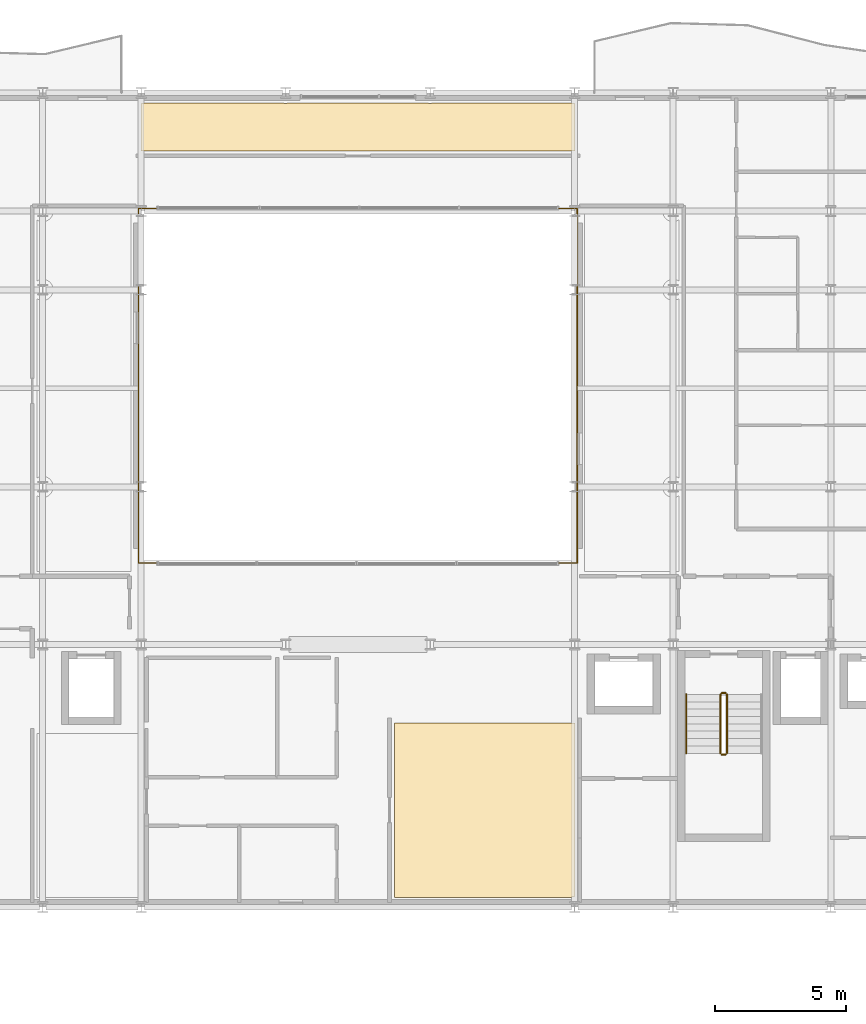
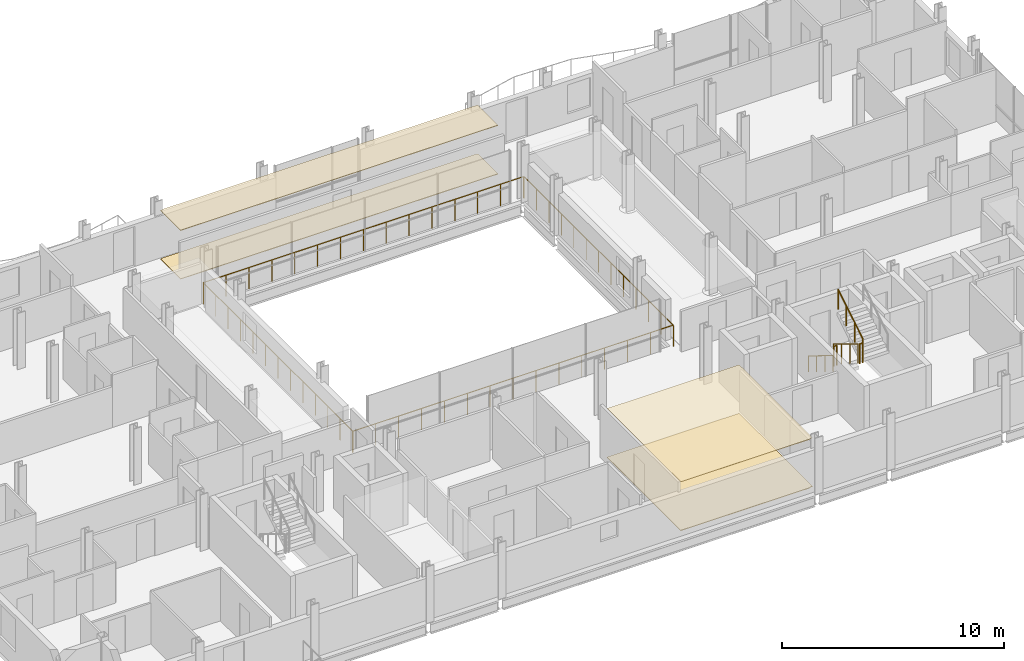
# One storey, part 40 of 41: 7 railings, 4 coverings.
"""IFC4 building model written with IfcOpenShell, lengths in metres."""

from ifc_helpers import new_model, si_unit, direction, frame, origin, origin_2d, place, context, subcontext, project, spatial, polyline, circle, outline, extrude, material, layer, layer_set, type_object, element, save


model = new_model("IFC4")

# Units and contexts
model_context = context("Model", 3, precision=1e-05, world=origin(), true_north=direction((0.0, 1.0)))
body_context = subcontext(model_context, "Body", "Model", "MODEL_VIEW")
ifc_project = project(units=[si_unit("LENGTHUNIT", "METRE"), si_unit("AREAUNIT", "SQUARE_METRE"), si_unit("VOLUMEUNIT", "CUBIC_METRE"), si_unit("PLANEANGLEUNIT", "RADIAN"), si_unit("MASSUNIT", "GRAM", prefix="KILO")], contexts=[model_context])

# Site, building, storey
site_placement = place(None, origin())
site = spatial("IfcSite", under=ifc_project, at=site_placement, CompositionType="ELEMENT")
building_placement = place(site_placement, origin())
building = spatial("IfcBuilding", under=site, at=building_placement, Name="Brevholm Reach", CompositionType="ELEMENT")
storey_placement = place(building_placement, frame((0.0, 0.0, 144.89990234375)))
storey = spatial("IfcBuildingStorey", under=building, at=storey_placement, Name="L43", CompositionType="ELEMENT", Elevation=144.89990234375)

# Coverings
ifc_material_1 = material(Name="Moisture-Resistant Skimmed Gypsum Plasterboard Ceiling", Category="gypsum")
ifc_layer_1 = layer(ifc_material_1, 0.030029296875)
ifc_layer_set_1 = layer_set([ifc_layer_1], Name="Moisture-Resistant Skimmed Gypsum Plasterboard Ceiling")
covering_type_1 = type_object("IfcCoveringType", Name="COV-CLG-GYP", PredefinedType="CEILING", material=ifc_layer_set_1)
covering_1_placement = place(storey_placement, frame((0.0, 0.0, 2.68017578125)))
element("IfcCovering", 1, at=covering_1_placement, inside=storey, type_object=covering_type_1, Name="L43 Suspended Ceiling L43-14", PredefinedType="CEILING", context=body_context, shape_type="SweptSolid", body=[
    extrude(outline(polyline([(38.27001953125, 7.02001953125), (38.27001953125, 0.39892578125), (38.25, 0.39990234375), (38.210693359375, 0.398193359375), (38.172119140625, 0.392333984375), (38.1337890625, 0.3828125), (38.096923828125, 0.36962890625), (38.07666015625, 0.360107421875), (31.384033203125, 0.360107421875), (31.384033203125, 7.02001953125), (38.27001953125, 7.02001953125)])), origin(), (0.0, 0.0, 1.0), 0.030029296875),
])
covering_2_placement = place(storey_placement, frame((0.0, 0.0, 2.68017578125)))
element("IfcCovering", 2, at=covering_2_placement, inside=storey, type_object=covering_type_1, Name="L43 Suspended Ceiling L43-63", PredefinedType="CEILING", context=body_context, shape_type="SweptSolid", body=[
    extrude(outline(polyline([(27.126220703125, 30.6201171875), (27.1337890625, 30.6171875), (27.172119140625, 30.607666015625), (27.210693359375, 30.601806640625), (27.25, 30.60009765625), (27.289306640625, 30.601806640625), (27.327880859375, 30.607666015625), (27.3662109375, 30.6171875), (27.373779296875, 30.6201171875), (32.626220703125, 30.6201171875), (32.6337890625, 30.6171875), (32.672119140625, 30.607666015625), (32.710693359375, 30.601806640625), (32.75, 30.60009765625), (32.789306640625, 30.601806640625), (32.827880859375, 30.607666015625), (32.8662109375, 30.6171875), (32.873779296875, 30.6201171875), (38.126220703125, 30.6201171875), (38.1337890625, 30.6171875), (38.172119140625, 30.607666015625), (38.210693359375, 30.601806640625), (38.25, 30.60009765625), (38.26611328125, 30.600830078125), (38.26611328125, 28.783935546875), (21.73388671875, 28.783935546875), (21.73388671875, 30.600830078125), (21.75, 30.60009765625), (21.789306640625, 30.601806640625), (21.827880859375, 30.607666015625), (21.8662109375, 30.6171875), (21.873779296875, 30.6201171875), (27.126220703125, 30.6201171875)])), origin(), (0.0, 0.0, 1.0), 0.030029296875),
])
ifc_material_2 = material(Name="Honed Portland-Aggregate Resin Terrazzo Flooring", Category="concrete")
ifc_layer_2 = layer(ifc_material_2, 0.031982421875)
ifc_layer_set_2 = layer_set([ifc_layer_2], Name="Honed Portland-Aggregate Resin Terrazzo Flooring")
covering_type_2 = type_object("IfcCoveringType", Name="COV-FLR-TRZ", PredefinedType="FLOORING", material=ifc_layer_set_2)
covering_3_placement = place(storey_placement, origin())
element("IfcCovering", 3, at=covering_3_placement, inside=storey, type_object=covering_type_2, Name="L43 Floor Finish L43-14", PredefinedType="FLOORING", context=body_context, shape_type="SweptSolid", body=[
    extrude(outline(polyline([(38.27001953125, 7.02001953125), (38.27001953125, 0.39892578125), (38.25, 0.39990234375), (38.210693359375, 0.398193359375), (38.172119140625, 0.392333984375), (38.1337890625, 0.3828125), (38.096923828125, 0.36962890625), (38.07666015625, 0.360107421875), (31.384033203125, 0.360107421875), (31.384033203125, 7.02001953125), (38.27001953125, 7.02001953125)])), origin(), (0.0, 0.0, 1.0), 0.031982421875),
])
covering_4_placement = place(storey_placement, origin())
element("IfcCovering", 4, at=covering_4_placement, inside=storey, type_object=covering_type_2, Name="L43 Floor Finish L43-63", PredefinedType="FLOORING", context=body_context, shape_type="SweptSolid", body=[
    extrude(outline(polyline([(27.126220703125, 30.6201171875), (27.1337890625, 30.6171875), (27.172119140625, 30.607666015625), (27.210693359375, 30.601806640625), (27.25, 30.60009765625), (27.289306640625, 30.601806640625), (27.327880859375, 30.607666015625), (27.3662109375, 30.6171875), (27.373779296875, 30.6201171875), (32.626220703125, 30.6201171875), (32.6337890625, 30.6171875), (32.672119140625, 30.607666015625), (32.710693359375, 30.601806640625), (32.75, 30.60009765625), (32.789306640625, 30.601806640625), (32.827880859375, 30.607666015625), (32.8662109375, 30.6171875), (32.873779296875, 30.6201171875), (38.126220703125, 30.6201171875), (38.1337890625, 30.6171875), (38.172119140625, 30.607666015625), (38.210693359375, 30.601806640625), (38.25, 30.60009765625), (38.26611328125, 30.600830078125), (38.26611328125, 28.783935546875), (21.73388671875, 28.783935546875), (21.73388671875, 30.600830078125), (21.75, 30.60009765625), (21.789306640625, 30.601806640625), (21.827880859375, 30.607666015625), (21.8662109375, 30.6171875), (21.873779296875, 30.6201171875), (27.126220703125, 30.6201171875)])), origin(), (0.0, 0.0, 1.0), 0.031982421875),
])

# Railings
ifc_material_3 = material(Name="Brushed Stainless Steel EN 1.4401 Continuous Handrail", Category="steel")
railing_type_1 = type_object("IfcRailingType", Name="RAL-HND-950", PredefinedType="HANDRAIL", material=ifc_material_3)
railing_1_placement = place(storey_placement, frame((42.5, 8.10009765625, 0.17236328125)))
element("IfcRailing", 5, at=railing_1_placement, inside=storey, type_object=railing_type_1, Name="L43 ST-2 stair handrail 1", PredefinedType="HANDRAIL", context=body_context, shape_type="SweptSolid", body=[
    extrude(circle(Radius=0.02392578125, at=origin_2d()), frame((0.0, 0.0, 0.8857421875), z_axis=(0.0, -0.85178898068, 0.523885037382), x_axis=(1.0, 0.0, 0.0)), (0.0, 0.0, 1.0), 2.629638671875),
    extrude(circle(Radius=0.02099609375, at=origin_2d()), origin(), (0.0, 0.0, 1.0), 0.86181640625),
    extrude(circle(Radius=0.02099609375, at=origin_2d()), frame((0.0, -0.74658203125, 0.459228515625)), (0.0, 0.0, 1.0), 0.86181640625),
    extrude(circle(Radius=0.02099609375, at=origin_2d()), frame((0.0, -1.493408203125, 0.91845703125)), (0.0, 0.0, 1.0), 0.86181640625),
    extrude(circle(Radius=0.02099609375, at=origin_2d()), frame((0.0, -2.239990234375, 1.377685546875)), (0.0, 0.0, 1.0), 0.86181640625),
])
ifc_material_4 = material(Name="Painted Tubular Galvanised Steel S275JR Stair Guard", Category="steel")
railing_type_2 = type_object("IfcRailingType", Name="RAL-STG-1120", PredefinedType="BALUSTRADE", material=ifc_material_4)
railing_2_placement = place(storey_placement, frame((43.800048828125, 8.10009765625, 0.17236328125)))
element("IfcRailing", 6, at=railing_2_placement, inside=storey, type_object=railing_type_2, Name="L43 ST-2 stair guard 1", PredefinedType="BALUSTRADE", context=body_context, shape_type="SweptSolid", body=[
    extrude(circle(Radius=0.02392578125, at=origin_2d()), frame((0.0, 0.0, 1.076171875), z_axis=(0.0, -0.85178898068, 0.523885037382), x_axis=(1.0, 0.0, 0.0)), (0.0, 0.0, 1.0), 2.629638671875),
    extrude(circle(Radius=0.02099609375, at=origin_2d()), origin(), (0.0, 0.0, 1.0), 1.052001953125),
    extrude(circle(Radius=0.02099609375, at=origin_2d()), frame((0.0, -0.74658203125, 0.459228515625)), (0.0, 0.0, 1.0), 1.052001953125),
    extrude(circle(Radius=0.02099609375, at=origin_2d()), frame((0.0, -1.493408203125, 0.91845703125)), (0.0, 0.0, 1.0), 1.052001953125),
    extrude(circle(Radius=0.02099609375, at=origin_2d()), frame((0.0, -2.239990234375, 1.377685546875)), (0.0, 0.0, 1.0), 1.052001953125),
])
railing_3_placement = place(storey_placement, frame((43.85009765625, 5.81005859375, 1.550048828125)))
element("IfcRailing", 7, at=railing_3_placement, inside=storey, type_object=railing_type_2, Name="L43 ST-2 stair guard 2", PredefinedType="BALUSTRADE", context=body_context, shape_type="SweptSolid", body=[
    extrude(circle(Radius=0.02392578125, at=origin_2d()), frame((0.0, 0.0, 1.076171875), z_axis=(1.0, 0.0, 0.0), x_axis=(0.0, 1.0, 0.0)), (0.0, 0.0, 1.0), 0.14990234375),
    extrude(circle(Radius=0.02099609375, at=origin_2d()), origin(), (0.0, 0.0, 1.0), 1.052001953125),
    extrude(circle(Radius=0.02099609375, at=origin_2d()), frame((0.14990234375, 0.0, 0.0)), (0.0, 0.0, 1.0), 1.052001953125),
])
railing_4_placement = place(storey_placement, frame((44.050048828125, 5.860107421875, 1.722412109375)))
element("IfcRailing", 8, at=railing_4_placement, inside=storey, type_object=railing_type_2, Name="L43 ST-2 stair guard 3", PredefinedType="BALUSTRADE", context=body_context, shape_type="SweptSolid", body=[
    extrude(circle(Radius=0.02392578125, at=origin_2d()), frame((0.0, 0.0, 1.076171875), z_axis=(0.0, 0.85178898068, 0.523885037382), x_axis=(-1.0, 0.0, 0.0)), (0.0, 0.0, 1.0), 2.629638671875),
    extrude(circle(Radius=0.02099609375, at=origin_2d()), origin(), (0.0, 0.0, 1.0), 1.052001953125),
    extrude(circle(Radius=0.02099609375, at=origin_2d()), frame((0.0, 0.74658203125, 0.459228515625)), (0.0, 0.0, 1.0), 1.052001953125),
    extrude(circle(Radius=0.02099609375, at=origin_2d()), frame((0.0, 1.493408203125, 0.91845703125)), (0.0, 0.0, 1.0), 1.052001953125),
    extrude(circle(Radius=0.02099609375, at=origin_2d()), frame((0.0, 2.239990234375, 1.377685546875)), (0.0, 0.0, 1.0), 1.052001953125),
])
railing_5_placement = place(storey_placement, frame((43.85009765625, 8.14990234375, 0.0)))
element("IfcRailing", 9, at=railing_5_placement, inside=storey, type_object=railing_type_2, Name="L43 ST-2 stair guard 4", PredefinedType="BALUSTRADE", context=body_context, shape_type="SweptSolid", body=[
    extrude(circle(Radius=0.02392578125, at=origin_2d()), frame((0.0, 0.0, 1.076171875), z_axis=(1.0, 0.0, 0.0), x_axis=(0.0, 1.0, 0.0)), (0.0, 0.0, 1.0), 0.14990234375),
    extrude(circle(Radius=0.02099609375, at=origin_2d()), origin(), (0.0, 0.0, 1.0), 1.052001953125),
    extrude(circle(Radius=0.02099609375, at=origin_2d()), frame((0.14990234375, 0.0, 0.0)), (0.0, 0.0, 1.0), 1.052001953125),
])
ifc_material_5 = material(Name="Brushed Stainless Steel EN 1.4401 and Laminated Glass", Category="steel")
railing_type_3 = type_object("IfcRailingType", Name="RAL-TERR-1200", PredefinedType="BALUSTRADE", material=ifc_material_5)
railing_6_placement = place(storey_placement, frame((21.64990234375, 13.10009765625, 0.0)))
element("IfcRailing", 10, at=railing_6_placement, inside=storey, type_object=railing_type_3, Name="L43 Guard Balustrade RAL-L43-AT-VOID-SW", PredefinedType="BALUSTRADE", context=body_context, shape_type="SweptSolid", body=[
    extrude(circle(Radius=0.02392578125, at=origin_2d()), frame((0.0, 0.0, 1.17578125), z_axis=(1.0, 0.0, 0.0), x_axis=(0.0, 1.0, 0.0)), (0.0, 0.0, 1.0), 16.7001953125),
    extrude(circle(Radius=0.02392578125, at=origin_2d()), frame((16.7001953125, 0.0, 1.17578125), z_axis=(0.0, 1.0, 0.0), x_axis=(-1.0, 0.0, 0.0)), (0.0, 0.0, 1.0), 13.47998046875),
    extrude(circle(Radius=0.02099609375, at=origin_2d()), origin(), (0.0, 0.0, 1.0), 1.15185546875),
    extrude(circle(Radius=0.02099609375, at=origin_2d()), frame((1.19287109375, 0.0, 0.0)), (0.0, 0.0, 1.0), 1.15185546875),
    extrude(circle(Radius=0.02099609375, at=origin_2d()), frame((2.3857421875, 0.0, 0.0)), (0.0, 0.0, 1.0), 1.15185546875),
    extrude(circle(Radius=0.02099609375, at=origin_2d()), frame((3.57861328125, 0.0, 0.0)), (0.0, 0.0, 1.0), 1.15185546875),
    extrude(circle(Radius=0.02099609375, at=origin_2d()), frame((4.771484375, 0.0, 0.0)), (0.0, 0.0, 1.0), 1.15185546875),
    extrude(circle(Radius=0.02099609375, at=origin_2d()), frame((5.96435546875, 0.0, 0.0)), (0.0, 0.0, 1.0), 1.15185546875),
    extrude(circle(Radius=0.02099609375, at=origin_2d()), frame((7.1572265625, 0.0, 0.0)), (0.0, 0.0, 1.0), 1.15185546875),
    extrude(circle(Radius=0.02099609375, at=origin_2d()), frame((8.35009765625, 0.0, 0.0)), (0.0, 0.0, 1.0), 1.15185546875),
    extrude(circle(Radius=0.02099609375, at=origin_2d()), frame((9.54296875, 0.0, 0.0)), (0.0, 0.0, 1.0), 1.15185546875),
    extrude(circle(Radius=0.02099609375, at=origin_2d()), frame((10.73583984375, 0.0, 0.0)), (0.0, 0.0, 1.0), 1.15185546875),
    extrude(circle(Radius=0.02099609375, at=origin_2d()), frame((11.9287109375, 0.0, 0.0)), (0.0, 0.0, 1.0), 1.15185546875),
    extrude(circle(Radius=0.02099609375, at=origin_2d()), frame((13.12158203125, 0.0, 0.0)), (0.0, 0.0, 1.0), 1.15185546875),
    extrude(circle(Radius=0.02099609375, at=origin_2d()), frame((14.314453125, 0.0, 0.0)), (0.0, 0.0, 1.0), 1.15185546875),
    extrude(circle(Radius=0.02099609375, at=origin_2d()), frame((15.50732421875, 0.0, 0.0)), (0.0, 0.0, 1.0), 1.15185546875),
    extrude(circle(Radius=0.02099609375, at=origin_2d()), frame((16.7001953125, 0.0, 0.0)), (0.0, 0.0, 1.0), 1.15185546875),
    extrude(circle(Radius=0.02099609375, at=origin_2d()), frame((16.7001953125, 1.123291015625, 0.0)), (0.0, 0.0, 1.0), 1.15185546875),
    extrude(circle(Radius=0.02099609375, at=origin_2d()), frame((16.7001953125, 2.24658203125, 0.0)), (0.0, 0.0, 1.0), 1.15185546875),
    extrude(circle(Radius=0.02099609375, at=origin_2d()), frame((16.7001953125, 3.3701171875, 0.0)), (0.0, 0.0, 1.0), 1.15185546875),
    extrude(circle(Radius=0.02099609375, at=origin_2d()), frame((16.7001953125, 4.493408203125, 0.0)), (0.0, 0.0, 1.0), 1.15185546875),
    extrude(circle(Radius=0.02099609375, at=origin_2d()), frame((16.7001953125, 5.61669921875, 0.0)), (0.0, 0.0, 1.0), 1.15185546875),
    extrude(circle(Radius=0.02099609375, at=origin_2d()), frame((16.7001953125, 6.739990234375, 0.0)), (0.0, 0.0, 1.0), 1.15185546875),
    extrude(circle(Radius=0.02099609375, at=origin_2d()), frame((16.7001953125, 7.86328125, 0.0)), (0.0, 0.0, 1.0), 1.15185546875),
    extrude(circle(Radius=0.02099609375, at=origin_2d()), frame((16.7001953125, 8.986572265625, 0.0)), (0.0, 0.0, 1.0), 1.15185546875),
    extrude(circle(Radius=0.02099609375, at=origin_2d()), frame((16.7001953125, 10.10986328125, 0.0)), (0.0, 0.0, 1.0), 1.15185546875),
    extrude(circle(Radius=0.02099609375, at=origin_2d()), frame((16.7001953125, 11.2333984375, 0.0)), (0.0, 0.0, 1.0), 1.15185546875),
    extrude(circle(Radius=0.02099609375, at=origin_2d()), frame((16.7001953125, 12.356689453125, 0.0)), (0.0, 0.0, 1.0), 1.15185546875),
    extrude(circle(Radius=0.02099609375, at=origin_2d()), frame((16.7001953125, 13.47998046875, 0.0)), (0.0, 0.0, 1.0), 1.15185546875),
])
railing_7_placement = place(storey_placement, frame((38.330078125, 26.60009765625, 0.0)))
element("IfcRailing", 11, at=railing_7_placement, inside=storey, type_object=railing_type_3, Name="L43 Guard Balustrade RAL-L43-AT-VOID-NE", PredefinedType="BALUSTRADE", context=body_context, shape_type="SweptSolid", body=[
    extrude(circle(Radius=0.02392578125, at=origin_2d()), frame((0.0, 0.0, 1.17578125), z_axis=(-1.0, 0.0, 0.0), x_axis=(0.0, -1.0, 0.0)), (0.0, 0.0, 1.0), 16.68017578125),
    extrude(circle(Radius=0.02392578125, at=origin_2d()), frame((-16.68017578125, 0.0, 1.17578125), z_axis=(0.0, -1.0, 0.0), x_axis=(1.0, 0.0, 0.0)), (0.0, 0.0, 1.0), 13.47998046875),
    extrude(circle(Radius=0.02099609375, at=origin_2d()), origin(), (0.0, 0.0, 1.0), 1.15185546875),
    extrude(circle(Radius=0.02099609375, at=origin_2d()), frame((-1.19140625, 0.0, 0.0)), (0.0, 0.0, 1.0), 1.15185546875),
    extrude(circle(Radius=0.02099609375, at=origin_2d()), frame((-2.3828125, 0.0, 0.0)), (0.0, 0.0, 1.0), 1.15185546875),
    extrude(circle(Radius=0.02099609375, at=origin_2d()), frame((-3.57421875, 0.0, 0.0)), (0.0, 0.0, 1.0), 1.15185546875),
    extrude(circle(Radius=0.02099609375, at=origin_2d()), frame((-4.765869140625, 0.0, 0.0)), (0.0, 0.0, 1.0), 1.15185546875),
    extrude(circle(Radius=0.02099609375, at=origin_2d()), frame((-5.957275390625, 0.0, 0.0)), (0.0, 0.0, 1.0), 1.15185546875),
    extrude(circle(Radius=0.02099609375, at=origin_2d()), frame((-7.148681640625, 0.0, 0.0)), (0.0, 0.0, 1.0), 1.15185546875),
    extrude(circle(Radius=0.02099609375, at=origin_2d()), frame((-8.340087890625, 0.0, 0.0)), (0.0, 0.0, 1.0), 1.15185546875),
    extrude(circle(Radius=0.02099609375, at=origin_2d()), frame((-9.531494140625, 0.0, 0.0)), (0.0, 0.0, 1.0), 1.15185546875),
    extrude(circle(Radius=0.02099609375, at=origin_2d()), frame((-10.722900390625, 0.0, 0.0)), (0.0, 0.0, 1.0), 1.15185546875),
    extrude(circle(Radius=0.02099609375, at=origin_2d()), frame((-11.914306640625, 0.0, 0.0)), (0.0, 0.0, 1.0), 1.15185546875),
    extrude(circle(Radius=0.02099609375, at=origin_2d()), frame((-13.10595703125, 0.0, 0.0)), (0.0, 0.0, 1.0), 1.15185546875),
    extrude(circle(Radius=0.02099609375, at=origin_2d()), frame((-14.29736328125, 0.0, 0.0)), (0.0, 0.0, 1.0), 1.15185546875),
    extrude(circle(Radius=0.02099609375, at=origin_2d()), frame((-15.48876953125, 0.0, 0.0)), (0.0, 0.0, 1.0), 1.15185546875),
    extrude(circle(Radius=0.02099609375, at=origin_2d()), frame((-16.68017578125, 0.0, 0.0)), (0.0, 0.0, 1.0), 1.15185546875),
    extrude(circle(Radius=0.02099609375, at=origin_2d()), frame((-16.68017578125, -1.123291015625, 0.0)), (0.0, 0.0, 1.0), 1.15185546875),
    extrude(circle(Radius=0.02099609375, at=origin_2d()), frame((-16.68017578125, -2.24658203125, 0.0)), (0.0, 0.0, 1.0), 1.15185546875),
    extrude(circle(Radius=0.02099609375, at=origin_2d()), frame((-16.68017578125, -3.3701171875, 0.0)), (0.0, 0.0, 1.0), 1.15185546875),
    extrude(circle(Radius=0.02099609375, at=origin_2d()), frame((-16.68017578125, -4.493408203125, 0.0)), (0.0, 0.0, 1.0), 1.15185546875),
    extrude(circle(Radius=0.02099609375, at=origin_2d()), frame((-16.68017578125, -5.61669921875, 0.0)), (0.0, 0.0, 1.0), 1.15185546875),
    extrude(circle(Radius=0.02099609375, at=origin_2d()), frame((-16.68017578125, -6.739990234375, 0.0)), (0.0, 0.0, 1.0), 1.15185546875),
    extrude(circle(Radius=0.02099609375, at=origin_2d()), frame((-16.68017578125, -7.86328125, 0.0)), (0.0, 0.0, 1.0), 1.15185546875),
    extrude(circle(Radius=0.02099609375, at=origin_2d()), frame((-16.68017578125, -8.986572265625, 0.0)), (0.0, 0.0, 1.0), 1.15185546875),
    extrude(circle(Radius=0.02099609375, at=origin_2d()), frame((-16.68017578125, -10.10986328125, 0.0)), (0.0, 0.0, 1.0), 1.15185546875),
    extrude(circle(Radius=0.02099609375, at=origin_2d()), frame((-16.68017578125, -11.2333984375, 0.0)), (0.0, 0.0, 1.0), 1.15185546875),
    extrude(circle(Radius=0.02099609375, at=origin_2d()), frame((-16.68017578125, -12.356689453125, 0.0)), (0.0, 0.0, 1.0), 1.15185546875),
    extrude(circle(Radius=0.02099609375, at=origin_2d()), frame((-16.68017578125, -13.47998046875, 0.0)), (0.0, 0.0, 1.0), 1.15185546875),
])

save(model, "model.ifc")
